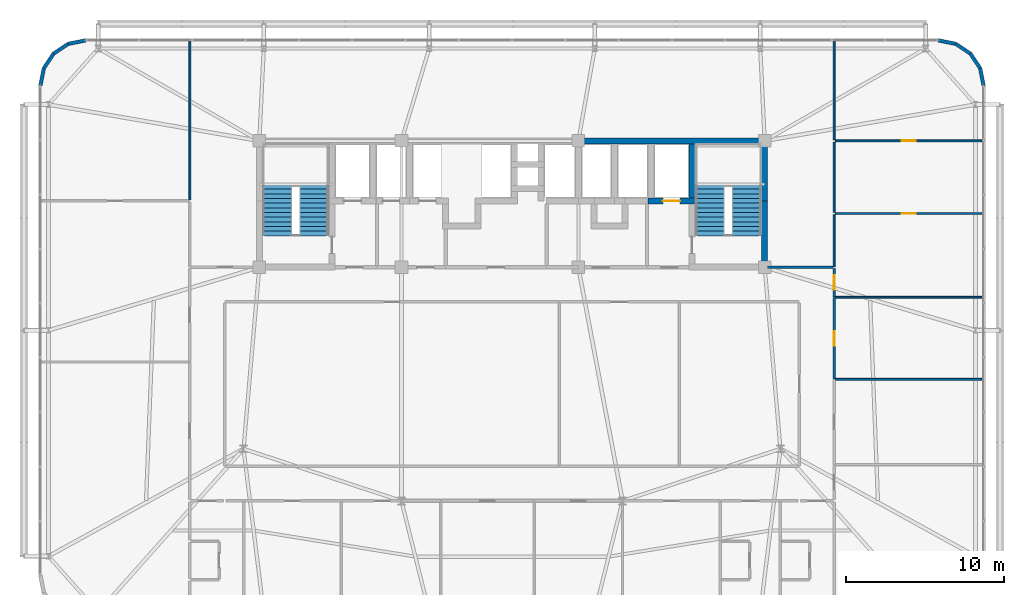
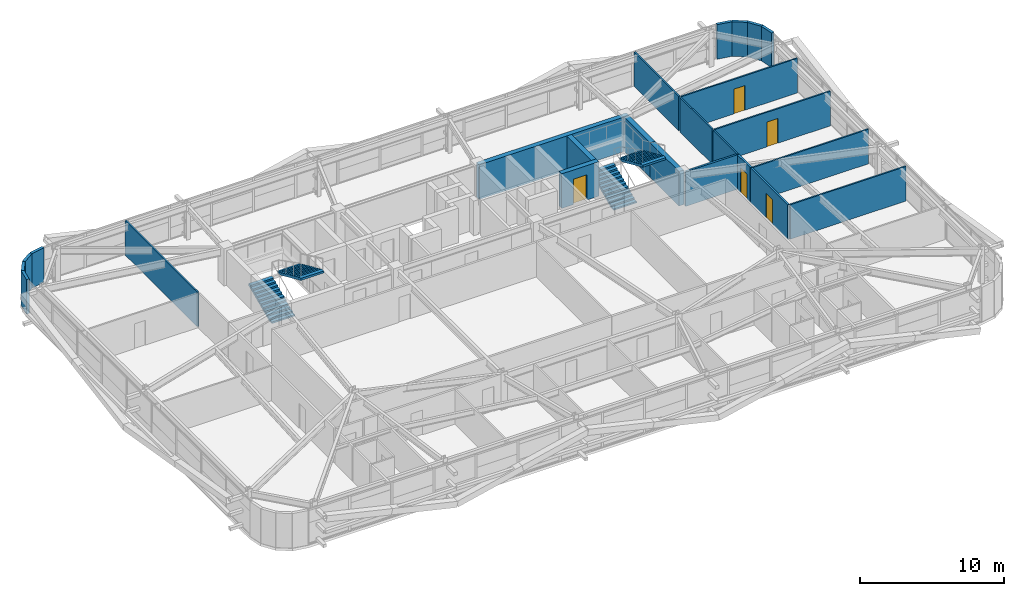
# One storey, part 55 of 58: 24 walls, 5 doors, 4 stair flights, 5 openings, 2 elements without a shape of their own.
"""IFC4 building model written with IfcOpenShell, lengths in metres."""

from ifc_helpers import new_model, si_unit, direction, frame, frame_2d, origin, place, context, subcontext, project, spatial, polyline, rectangle, outline, extrude, source, transform, mapped, material, layer, layer_set, type_object, element, fill, aggregate, save


model = new_model("IFC4")

# Units and contexts
model_context = context("Model", 3, precision=1e-05, world=origin(), true_north=direction((0.0, 1.0)))
body_context = subcontext(model_context, "Body", "Model", "MODEL_VIEW")
ifc_project = project(units=[si_unit("LENGTHUNIT", "METRE"), si_unit("AREAUNIT", "SQUARE_METRE"), si_unit("VOLUMEUNIT", "CUBIC_METRE"), si_unit("PLANEANGLEUNIT", "RADIAN"), si_unit("MASSUNIT", "GRAM", prefix="KILO")], contexts=[model_context])

# Site, building, storey
site_placement = place(None, origin())
site = spatial("IfcSite", under=ifc_project, at=site_placement, CompositionType="ELEMENT")
building_placement = place(site_placement, origin())
building = spatial("IfcBuilding", under=site, at=building_placement, Name="Taldren Reach Tower", CompositionType="ELEMENT")
storey_placement = place(building_placement, frame((0.0, 0.0, 51.449951171875)))
storey = spatial("IfcBuildingStorey", under=building, at=storey_placement, Name="L15", CompositionType="ELEMENT", Elevation=51.449951171875)

# Walls
ifc_material_1 = material(Name="Pale Champagne Anodised Aluminium Cladding", Category="aluminium")
ifc_layer_1 = layer(ifc_material_1, 0.04, Name="Pale Champagne Anodised Aluminium Cladding", Category="aluminium")
ifc_material_2 = material(Name="Mineral Wool Acoustic Insulation", Category="insulation")
ifc_layer_2 = layer(ifc_material_2, 0.06, Name="Mineral Wool Acoustic Insulation", Category="insulation")
ifc_material_3 = material(Name="Steel Gr 350 (C350L0)", Category="steel")
ifc_layer_3 = layer(ifc_material_3, 0.12, Name="Steel Gr 350 (C350L0)", Category="steel")
ifc_layer_set_1 = layer_set([ifc_layer_1, ifc_layer_2, ifc_layer_3], Name="Pale Champagne Aluminium Cladding and Steel Gr 350 Stud Framing")
wall_type_1 = type_object("IfcWallType", Name="EW-CRN-220", PredefinedType="SOLIDWALL", material=ifc_layer_set_1)
shared_shape_1 = source(origin(), body_context, "Body", "SweptSolid", [
    extrude(rectangle(XDim=1.115966796875, YDim=0.219970703125, at=frame_2d((0.55810546875, 0.0))), origin(), (0.0, 0.0, 1.0), 2.929931640625),
])
for number, where, z_axis, x_axis, name in (
    (1, (64.860107421875, 35.5, 0.0), (0.0, 0.0, 1.0), (-0.195148375659, 0.98077373103, 0.0), "Rounded-corner pale-metal facade wall L15-NE1"),
    (2, (64.642333984375, 36.594482421875, 0.0), (0.0, 0.0, 1.0), (-0.555709556774, 0.83137650226, 0.0), "Rounded-corner pale-metal facade wall L15-NE2"),
    (3, (64.022216796875, 37.522216796875, 0.0), (0.0, 0.0, 1.0), (-0.83137650226, 0.555709556774, 0.0), "Rounded-corner pale-metal facade wall L15-NE3"),
    (4, (63.094482421875, 38.142333984375, 0.0), (0.0, 0.0, 1.0), (-0.98077373103, 0.195148375659, 0.0), "Rounded-corner pale-metal facade wall L15-NE4"),
    (5, (8.0, 38.360107421875, 0.0), (0.0, 0.0, 1.0), (-0.98077373103, -0.195148375659, 0.0), "Rounded-corner pale-metal facade wall L15-NW1"),
    (6, (6.905517578125, 38.142333984375, 0.0), (0.0, 0.0, 1.0), (-0.83137650226, -0.555709556774, 0.0), "Rounded-corner pale-metal facade wall L15-NW2"),
    (7, (5.977783203125, 37.522216796875, 0.0), (0.0, 0.0, 1.0), (-0.555709556774, -0.83137650226, 0.0), "Rounded-corner pale-metal facade wall L15-NW3"),
    (8, (5.357666015625, 36.594482421875, 0.0), (0.0, 0.0, 1.0), (-0.195148375659, -0.98077373103, 0.0), "Rounded-corner pale-metal facade wall L15-NW4"),
):
    element("IfcWall", number, at=place(storey_placement, frame(where, z_axis=z_axis, x_axis=x_axis)), inside=storey, type_object=wall_type_1, Name=name, PredefinedType="SOLIDWALL", context=body_context, shape_type="MappedRepresentation", body=[
        mapped(shared_shape_1, transform((0.0, 0.0, 0.0), scale=1.0)),
    ])
ifc_material_4 = material(Name="Concrete S80 (80 MPa)", Category="concrete")
ifc_layer_4 = layer(ifc_material_4, 0.3798828125)
ifc_layer_set_2 = layer_set([ifc_layer_4], Name="Concrete S80 (80 MPa)")
wall_type_2 = type_object("IfcWallType", Name="IW-CORE-380", PredefinedType="SHEAR", material=ifc_layer_set_2)
shared_shape_2 = source(origin(), body_context, "Body", "SweptSolid", [
    extrude(rectangle(XDim=11.989990234375, YDim=0.3798828125, at=frame_2d((5.9951171875, 0.0))), origin(), (0.0, 0.0, 1.0), 2.929931640625),
])
wall_1_placement = place(storey_placement, frame((39.199951171875, 32.0, 0.0), z_axis=(0.0, 0.0, 1.0), x_axis=(1.0, 0.0, 0.0)))
element("IfcWall", 9, at=wall_1_placement, inside=storey, type_object=wall_type_2, Name="Rear Core Shear Wall W-CORE-L15-NORTH3", PredefinedType="SHEAR", context=body_context, shape_type="MappedRepresentation", body=[
    mapped(shared_shape_2, transform((0.0, 0.0, 0.0), scale=1.0)),
])
shared_shape_3 = source(origin(), body_context, "Body", "SweptSolid", [
    extrude(rectangle(XDim=4.010009765625, YDim=0.3798828125, at=frame_2d((2.0048828125, 0.0))), origin(), (0.0, 0.0, 1.0), 2.929931640625),
])
wall_2_placement = place(storey_placement, frame((51.0, 24.18994140625, 0.0), z_axis=(0.0, 0.0, 1.0), x_axis=(0.0, 1.0, 0.0)))
element("IfcWall", 10, at=wall_2_placement, inside=storey, type_object=wall_type_2, Name="Rear Core Shear Wall W-CORE-L15-EAST1", PredefinedType="SHEAR", context=body_context, shape_type="MappedRepresentation", body=[
    mapped(shared_shape_3, transform((0.0, 0.0, 0.0), scale=1.0)),
])
shared_shape_4 = source(origin(), body_context, "Body", "SweptSolid", [
    extrude(rectangle(XDim=3.610107421875, YDim=0.3798828125, at=frame_2d((1.80517578125, 0.0))), origin(), (0.0, 0.0, 1.0), 2.929931640625),
])
wall_3_placement = place(storey_placement, frame((51.0, 28.199951171875, 0.0), z_axis=(0.0, 0.0, 1.0), x_axis=(0.0, 1.0, 0.0)))
element("IfcWall", 11, at=wall_3_placement, inside=storey, type_object=wall_type_2, Name="Rear Core Shear Wall W-CORE-L15-EAST2", PredefinedType="SHEAR", context=body_context, shape_type="MappedRepresentation", body=[
    mapped(shared_shape_4, transform((0.0, 0.0, 0.0), scale=1.0)),
])
shared_shape_5 = source(origin(), body_context, "Body", "SweptSolid", [
    extrude(rectangle(XDim=3.420166015625, YDim=0.3798828125, at=frame_2d((1.7099609375, 0.0))), origin(), (0.0, 0.0, 1.0), 2.929931640625),
])
wall_4_placement = place(storey_placement, frame((46.39990234375, 31.81005859375, 0.0), z_axis=(0.0, 0.0, 1.0), x_axis=(0.0, -1.0, 0.0)))
element("IfcWall", 12, at=wall_4_placement, inside=storey, type_object=wall_type_2, Name="Rear Core Shear Wall W-INT-L15-008", PredefinedType="SHEAR", context=body_context, shape_type="MappedRepresentation", body=[
    mapped(shared_shape_5, transform((0.0, 0.0, 0.0), scale=1.0)),
])

# Wall, opening, door
shared_shape_6 = source(origin(), body_context, "Body", "SweptSolid", [
    extrude(rectangle(XDim=2.97998046875, YDim=0.3798828125, at=frame_2d((1.489990234375, 0.0))), origin(), (0.0, 0.0, 1.0), 2.929931640625),
])
wall_5_placement = place(storey_placement, frame((43.610107421875, 28.199951171875, 0.0), z_axis=(0.0, 0.0, 1.0), x_axis=(1.0, 0.0, 0.0)))
wall_5 = element("IfcWall", 13, at=wall_5_placement, inside=storey, type_object=wall_type_2, Name="Rear Core Shear Wall W-INT-L15-011", PredefinedType="SHEAR", context=body_context, shape_type="MappedRepresentation", body=[
    mapped(shared_shape_6, transform((0.0, 0.0, 0.0), scale=1.0)),
])
shared_shape_7 = source(origin(), body_context, "Body", "SweptSolid", [
    extrude(rectangle(XDim=1.10009765625, YDim=2.14990234375, at=frame_2d((0.550048828125, 1.074951171875))), frame((0.0, 0.199951171875, 0.0), z_axis=(0.0, -1.0, 0.0), x_axis=(1.0, 0.0, 0.0)), (0.0, 0.0, 1.0), 0.39990234375),
])
opening_1_placement = place(wall_5_placement, frame((0.93994140625, 0.0, 0.0)))
opening_1 = element("IfcOpeningElement", 14, at=opening_1_placement, cuts=wall_5, Name="Opening LD-FL2", PredefinedType="OPENING", context=body_context, shape_type="MappedRepresentation", body=[
    mapped(shared_shape_7, transform((0.0, 0.0, 0.0), scale=1.0)),
])
ifc_material_5 = material(Name="Stainless Steel Gr 316 Emergency Lift Landing Door", Category="steel")
door_type_1 = type_object("IfcDoorType", Name="LD-EMG-110", OperationType="SLIDING_TO_LEFT", PredefinedType="DOOR", material=ifc_material_5)
shared_shape_8 = source(origin(), body_context, "Body", "SweptSolid", [
    extrude(rectangle(XDim=1.10009765625, YDim=2.14990234375, at=frame_2d((0.550048828125, 1.074951171875))), frame((0.0, 0.02490234375, 0.0), z_axis=(0.0, -1.0, 0.0), x_axis=(1.0, 0.0, 0.0)), (0.0, 0.0, 1.0), 0.050048828125),
])
door_1_placement = place(opening_1_placement, origin())
door_1 = element("IfcDoor", 15, at=door_1_placement, inside=storey, type_object=door_type_1, Name="Lift Landing Door LD-FL2-L15", OperationType="SLIDING_TO_LEFT", OverallHeight=2.14990234375, OverallWidth=1.10009765625, PredefinedType="DOOR", context=body_context, shape_type="MappedRepresentation", body=[
    mapped(shared_shape_8, transform((0.0, 0.0, 0.0), scale=1.0)),
])
fill(opening_1, door_1)

# Wall
ifc_material_6 = material(Name="Fire-Rated Acoustic Plasterboard Stud Wall", Category="gypsum")
ifc_layer_5 = layer(ifc_material_6, 0.159912109375)
ifc_layer_set_3 = layer_set([ifc_layer_5], Name="Fire-Rated Acoustic Plasterboard Stud Wall")
wall_type_3 = type_object("IfcWallType", Name="IW-FIRE-160", PredefinedType="PARTITIONING", material=ifc_layer_set_3)
shared_shape_9 = source(origin(), body_context, "Body", "SweptSolid", [
    extrude(rectangle(XDim=4.130126953125, YDim=0.159912109375, at=frame_2d((2.06494140625, 0.0))), origin(), (0.0, 0.0, 1.0), 2.929931640625),
])
wall_6_placement = place(storey_placement, frame((51.18994140625, 24.0, 0.0), z_axis=(0.0, 0.0, 1.0), x_axis=(1.0, 0.0, 0.0)))
element("IfcWall", 16, at=wall_6_placement, inside=storey, type_object=wall_type_3, Name="Interior Partition Wall W-INT-L15-059", PredefinedType="PARTITIONING", context=body_context, shape_type="MappedRepresentation", body=[
    mapped(shared_shape_9, transform((0.0, 0.0, 0.0), scale=1.0)),
])

# Wall, opening, door
shared_shape_10 = source(origin(), body_context, "Body", "SweptSolid", [
    extrude(rectangle(XDim=5.15966796875, YDim=0.159912109375, at=frame_2d((2.579833984375, 0.0))), origin(), (0.0, 0.0, 1.0), 2.929931640625),
])
wall_7_placement = place(storey_placement, frame((55.39990234375, 22.079833984375, 0.0), z_axis=(0.0, 0.0, 1.0), x_axis=(0.0, -1.0, 0.0)))
wall_7 = element("IfcWall", 17, at=wall_7_placement, inside=storey, type_object=wall_type_3, Name="Interior Partition Wall W-INT-L15-056", PredefinedType="PARTITIONING", context=body_context, shape_type="MappedRepresentation", body=[
    mapped(shared_shape_10, transform((0.0, 0.0, 0.0), scale=1.0)),
])
shared_shape_11 = source(origin(), body_context, "Body", "SweptSolid", [
    extrude(rectangle(XDim=0.919921875, YDim=2.10009765625, at=frame_2d((0.4599609375, 1.050048828125))), frame((0.0, 0.08984375, 0.0), z_axis=(0.0, -1.0, 0.0), x_axis=(1.0, 0.0, 0.0)), (0.0, 0.0, 1.0), 0.179931640625),
])
opening_2_placement = place(wall_7_placement, frame((2.119873046875, 0.0, 0.0)))
opening_2 = element("IfcOpeningElement", 18, at=opening_2_placement, cuts=wall_7, Name="Opening DI-092", PredefinedType="OPENING", context=body_context, shape_type="MappedRepresentation", body=[
    mapped(shared_shape_11, transform((0.0, 0.0, 0.0), scale=1.0)),
])
ifc_material_7 = material(Name="Solid-Core Timber Suite Door", Category="wood")
door_type_2 = type_object("IfcDoorType", Name="ID-INT-092", OperationType="NOTDEFINED", PredefinedType="DOOR", material=ifc_material_7)
shared_shape_12 = source(origin(), body_context, "Body", "SweptSolid", [
    extrude(rectangle(XDim=0.919921875, YDim=2.10009765625, at=frame_2d((0.4599609375, 1.050048828125))), frame((0.0, 0.02490234375, 0.0), z_axis=(0.0, -1.0, 0.0), x_axis=(1.0, 0.0, 0.0)), (0.0, 0.0, 1.0), 0.050048828125),
])
door_2_placement = place(opening_2_placement, origin())
door_2 = element("IfcDoor", 19, at=door_2_placement, inside=storey, type_object=door_type_2, Name="Interior Door DR-L15-017", OperationType="SINGLE_SWING_RIGHT", OverallHeight=2.10009765625, OverallWidth=0.919921875, PredefinedType="DOOR", context=body_context, shape_type="MappedRepresentation", body=[
    mapped(shared_shape_12, transform((0.0, 0.0, 0.0), scale=1.0)),
])
fill(opening_2, door_2)

# Walls
ifc_material_8 = material(Name="Insulated Residential Stud Partition", Category="gypsum")
ifc_layer_6 = layer(ifc_material_8, 0.1201171875)
ifc_layer_set_4 = layer_set([ifc_layer_6], Name="Insulated Residential Stud Partition")
wall_type_4 = type_object("IfcWallType", Name="IW-PART-120", PredefinedType="PARTITIONING", material=ifc_layer_set_4)
shared_shape_13 = source(origin(), body_context, "Body", "SweptSolid", [
    extrude(rectangle(XDim=9.2900390625, YDim=0.1201171875, at=frame_2d((4.64501953125, 0.0))), origin(), (0.0, 0.0, 1.0), 2.929931640625),
])
for number, where, z_axis, x_axis, name in (
    (20, (55.47998046875, 16.89990234375, 0.0), (0.0, 0.0, 1.0), (1.0, 0.0, 0.0), "Interior Partition Wall W-INT-L15-102"),
    (21, (55.47998046875, 22.10009765625, 0.0), (0.0, 0.0, 1.0), (1.0, 0.0, 0.0), "Interior Partition Wall W-INT-L15-103"),
):
    element("IfcWall", number, at=place(storey_placement, frame(where, z_axis=z_axis, x_axis=x_axis)), inside=storey, type_object=wall_type_4, Name=name, PredefinedType="PARTITIONING", context=body_context, shape_type="MappedRepresentation", body=[
        mapped(shared_shape_13, transform((0.0, 0.0, 0.0), scale=1.0)),
    ])

# Wall, opening, door
wall_8_placement = place(storey_placement, frame((55.47998046875, 27.39990234375, 0.0), z_axis=(0.0, 0.0, 1.0), x_axis=(1.0, 0.0, 0.0)))
wall_8 = element("IfcWall", 22, at=wall_8_placement, inside=storey, type_object=wall_type_4, Name="Interior Partition Wall W-INT-L15-104", PredefinedType="PARTITIONING", context=body_context, shape_type="MappedRepresentation", body=[
    mapped(shared_shape_13, transform((0.0, 0.0, 0.0), scale=1.0)),
])
shared_shape_14 = source(origin(), body_context, "Body", "SweptSolid", [
    extrude(rectangle(XDim=0.860107421875, YDim=2.10009765625, at=frame_2d((0.43017578125, 1.050048828125))), frame((0.0, 0.070068359375, 0.0), z_axis=(0.0, -1.0, 0.0), x_axis=(1.0, 0.0, 0.0)), (0.0, 0.0, 1.0), 0.14013671875),
])
opening_3_placement = place(wall_8_placement, frame((4.215087890625, 0.0, 0.0)))
opening_3 = element("IfcOpeningElement", 23, at=opening_3_placement, cuts=wall_8, Name="Opening DI-086", PredefinedType="OPENING", context=body_context, shape_type="MappedRepresentation", body=[
    mapped(shared_shape_14, transform((0.0, 0.0, 0.0), scale=1.0)),
])
ifc_material_9 = material(Name="Timber Bathroom Door", Category="wood")
door_type_3 = type_object("IfcDoorType", Name="ID-INT-086", OperationType="NOTDEFINED", PredefinedType="DOOR", material=ifc_material_9)
shared_shape_15 = source(origin(), body_context, "Body", "SweptSolid", [
    extrude(rectangle(XDim=0.860107421875, YDim=2.10009765625, at=frame_2d((0.43017578125, 1.050048828125))), frame((0.0, 0.02490234375, 0.0), z_axis=(0.0, -1.0, 0.0), x_axis=(1.0, 0.0, 0.0)), (0.0, 0.0, 1.0), 0.050048828125),
])
door_3_placement = place(opening_3_placement, origin())
door_3 = element("IfcDoor", 24, at=door_3_placement, inside=storey, type_object=door_type_3, Name="Interior Door DR-L15-030", OperationType="SINGLE_SWING_LEFT", OverallHeight=2.10009765625, OverallWidth=0.860107421875, PredefinedType="DOOR", context=body_context, shape_type="MappedRepresentation", body=[
    mapped(shared_shape_15, transform((0.0, 0.0, 0.0), scale=1.0)),
])
fill(opening_3, door_3)

wall_9_placement = place(storey_placement, frame((55.47998046875, 32.0, 0.0), z_axis=(0.0, 0.0, 1.0), x_axis=(1.0, 0.0, 0.0)))
wall_9 = element("IfcWall", 25, at=wall_9_placement, inside=storey, type_object=wall_type_4, Name="Interior Partition Wall W-INT-L15-106", PredefinedType="PARTITIONING", context=body_context, shape_type="MappedRepresentation", body=[
    mapped(shared_shape_13, transform((0.0, 0.0, 0.0), scale=1.0)),
])
opening_4_placement = place(wall_9_placement, frame((4.215087890625, 0.0, 0.0)))
opening_4 = element("IfcOpeningElement", 26, at=opening_4_placement, cuts=wall_9, Name="Opening DI-086", PredefinedType="OPENING", context=body_context, shape_type="MappedRepresentation", body=[
    mapped(shared_shape_14, transform((0.0, 0.0, 0.0), scale=1.0)),
])
door_4_placement = place(opening_4_placement, frame((0.860107421875, 0.0, 0.0), z_axis=(0.0, 0.0, 1.0), x_axis=(-1.0, 0.0, 0.0)))
door_4 = element("IfcDoor", 27, at=door_4_placement, inside=storey, type_object=door_type_3, Name="Interior Door DR-L15-031", OperationType="SINGLE_SWING_LEFT", OverallHeight=2.10009765625, OverallWidth=0.860107421875, PredefinedType="DOOR", context=body_context, shape_type="MappedRepresentation", body=[
    mapped(shared_shape_15, transform((0.0, 0.0, 0.0), scale=1.0)),
])
fill(opening_4, door_4)

# Wall
shared_shape_16 = source(origin(), body_context, "Body", "SweptSolid", [
    extrude(rectangle(XDim=4.43994140625, YDim=0.1201171875, at=frame_2d((2.219970703125, 0.0))), origin(), (0.0, 0.0, 1.0), 2.929931640625),
])
wall_10_placement = place(storey_placement, frame((55.39990234375, 27.47998046875, 0.0), z_axis=(0.0, 0.0, 1.0), x_axis=(0.0, 1.0, 0.0)))
element("IfcWall", 28, at=wall_10_placement, inside=storey, type_object=wall_type_4, Name="Interior Partition Wall W-INT-L15-107", PredefinedType="PARTITIONING", context=body_context, shape_type="MappedRepresentation", body=[
    mapped(shared_shape_16, transform((0.0, 0.0, 0.0), scale=1.0)),
])

# Wall, opening, door
shared_shape_17 = source(origin(), body_context, "Body", "SweptSolid", [
    extrude(rectangle(XDim=1.7998046875, YDim=0.159912109375, at=frame_2d((0.89990234375, 0.0))), origin(), (0.0, 0.0, 1.0), 2.929931640625),
])
wall_11_placement = place(storey_placement, frame((55.39990234375, 23.919921875, 0.0), z_axis=(0.0, 0.0, 1.0), x_axis=(0.0, -1.0, 0.0)))
wall_11 = element("IfcWall", 29, at=wall_11_placement, inside=storey, type_object=wall_type_3, Name="Interior Partition Wall W-INT-L15-057", PredefinedType="PARTITIONING", context=body_context, shape_type="MappedRepresentation", body=[
    mapped(shared_shape_17, transform((0.0, 0.0, 0.0), scale=1.0)),
])
opening_5_placement = place(wall_11_placement, frame((0.43994140625, 0.0, 0.0)))
opening_5 = element("IfcOpeningElement", 30, at=opening_5_placement, cuts=wall_11, Name="Opening DI-092", PredefinedType="OPENING", context=body_context, shape_type="MappedRepresentation", body=[
    mapped(shared_shape_11, transform((0.0, 0.0, 0.0), scale=1.0)),
])
door_5_placement = place(opening_5_placement, origin())
door_5 = element("IfcDoor", 31, at=door_5_placement, inside=storey, type_object=door_type_2, Name="Interior Door DR-L15-018", OperationType="SINGLE_SWING_LEFT", OverallHeight=2.10009765625, OverallWidth=0.919921875, PredefinedType="DOOR", context=body_context, shape_type="MappedRepresentation", body=[
    mapped(shared_shape_12, transform((0.0, 0.0, 0.0), scale=1.0)),
])
fill(opening_5, door_5)

# Walls
shared_shape_18 = source(origin(), body_context, "Body", "SweptSolid", [
    extrude(rectangle(XDim=9.989990234375, YDim=0.1201171875, at=frame_2d((4.9951171875, 0.0))), origin(), (0.0, 0.0, 1.0), 2.929931640625),
])
wall_12_placement = place(storey_placement, frame((14.60009765625, 38.27001953125, 0.0), z_axis=(0.0, 0.0, 1.0), x_axis=(0.0, -1.0, 0.0)))
element("IfcWall", 32, at=wall_12_placement, inside=storey, type_object=wall_type_4, Name="Interior Partition Wall W-INT-L15-100", PredefinedType="PARTITIONING", context=body_context, shape_type="MappedRepresentation", body=[
    mapped(shared_shape_18, transform((0.0, 0.0, 0.0), scale=1.0)),
])
shared_shape_19 = source(origin(), body_context, "Body", "SweptSolid", [
    extrude(rectangle(XDim=3.2998046875, YDim=0.1201171875, at=frame_2d((1.64990234375, 0.0))), origin(), (0.0, 0.0, 1.0), 2.929931640625),
])
wall_13_placement = place(storey_placement, frame((55.39990234375, 24.020263671875, 0.0), z_axis=(0.0, 0.0, 1.0), x_axis=(0.0, 1.0, 0.0)))
element("IfcWall", 33, at=wall_13_placement, inside=storey, type_object=wall_type_4, Name="Interior Partition Wall W-INT-L15-105", PredefinedType="PARTITIONING", context=body_context, shape_type="MappedRepresentation", body=[
    mapped(shared_shape_19, transform((0.0, 0.0, 0.0), scale=1.0)),
])
shared_shape_20 = source(origin(), body_context, "Body", "SweptSolid", [
    extrude(rectangle(XDim=6.18994140625, YDim=0.1201171875, at=frame_2d((3.094970703125, 0.0))), origin(), (0.0, 0.0, 1.0), 2.929931640625),
])
wall_14_placement = place(storey_placement, frame((55.39990234375, 32.080078125, 0.0), z_axis=(0.0, 0.0, 1.0), x_axis=(0.0, 1.0, 0.0)))
element("IfcWall", 34, at=wall_14_placement, inside=storey, type_object=wall_type_4, Name="Interior Partition Wall W-INT-L15-108", PredefinedType="PARTITIONING", context=body_context, shape_type="MappedRepresentation", body=[
    mapped(shared_shape_20, transform((0.0, 0.0, 0.0), scale=1.0)),
])

# Stair, stair flights
ifc_material_10 = material(Name="Concrete S50 (50 MPa)", Category="concrete")
stair_type = type_object("IfcStairType", Name="ST-HT-315", PredefinedType="HALF_TURN_STAIR", material=ifc_material_10)
stair_1_placement = place(storey_placement, origin())
stair_1 = element("IfcStair", 35, at=stair_1_placement, inside=storey, type_object=stair_type, Name="Fire-isolated exit stair ST1 L15", PredefinedType="HALF_TURN_STAIR")
stair_flight_type = type_object("IfcStairFlightType", Name="SF-STR-315", PredefinedType="STRAIGHT", material=ifc_material_10)
stair_flight_1_placement = place(storey_placement, frame((20.139892578125, 25.989990234375, 0.0), z_axis=(0.0, 0.0, 1.0), x_axis=(0.0, 1.0, 0.0)))
stair_flight_1 = element("IfcStairFlight", 36, at=stair_flight_1_placement, type_object=stair_flight_type, Name="ST1 flight 1", NumberOfRisers=12, NumberOfTreads=11, PredefinedType="STRAIGHT", RiserHeight=0.13125, TreadLength=0.295, context=body_context, shape_type="SweptSolid", body=[
    extrude(outline(polyline([(0.0, 0.0), (0.0, 0.13134765625), (0.294921875, 0.13134765625), (0.294921875, 0.262451171875), (0.590087890625, 0.262451171875), (0.590087890625, 0.393798828125), (0.885009765625, 0.393798828125), (0.885009765625, 0.52490234375), (1.179931640625, 0.52490234375), (1.179931640625, 0.65625), (1.47509765625, 0.65625), (1.47509765625, 0.78759765625), (1.77001953125, 0.78759765625), (1.77001953125, 0.918701171875), (2.06494140625, 0.918701171875), (2.06494140625, 1.050048828125), (2.360107421875, 1.050048828125), (2.360107421875, 1.18115234375), (2.655029296875, 1.18115234375), (2.655029296875, 1.3125), (2.949951171875, 1.3125), (2.949951171875, 1.44384765625), (3.2451171875, 1.44384765625), (3.2451171875, 1.574951171875), (3.2451171875, 1.268798828125), (0.393310546875, 0.0), (0.0, 0.0)])), frame((0.0, 0.919921875, 0.0), z_axis=(0.0, -1.0, 0.0), x_axis=(1.0, 0.0, 0.0)), (0.0, 0.0, 1.0), 1.840087890625),
])
stair_flight_2_placement = place(storey_placement, frame((22.4599609375, 29.235107421875, 1.574951171875), z_axis=(0.0, 0.0, 1.0), x_axis=(0.0, -1.0, 0.0)))
stair_flight_2 = element("IfcStairFlight", 37, at=stair_flight_2_placement, type_object=stair_flight_type, Name="ST1 flight 2", NumberOfRisers=12, NumberOfTreads=11, PredefinedType="STRAIGHT", RiserHeight=0.13125, TreadLength=0.295, context=body_context, shape_type="SweptSolid", body=[
    extrude(outline(polyline([(0.0, 0.0), (0.0, 0.13134765625), (0.294921875, 0.13134765625), (0.294921875, 0.262451171875), (0.590087890625, 0.262451171875), (0.590087890625, 0.393798828125), (0.885009765625, 0.393798828125), (0.885009765625, 0.52490234375), (1.179931640625, 0.52490234375), (1.179931640625, 0.65625), (1.47509765625, 0.65625), (1.47509765625, 0.78759765625), (1.77001953125, 0.78759765625), (1.77001953125, 0.918701171875), (2.06494140625, 0.918701171875), (2.06494140625, 1.050048828125), (2.360107421875, 1.050048828125), (2.360107421875, 1.18115234375), (2.655029296875, 1.18115234375), (2.655029296875, 1.3125), (2.949951171875, 1.3125), (2.949951171875, 1.44384765625), (3.2451171875, 1.44384765625), (3.2451171875, 1.574951171875), (3.2451171875, 1.268798828125), (0.393310546875, 0.0), (0.0, 0.0)])), frame((0.0, 0.919921875, 0.0), z_axis=(0.0, -1.0, 0.0), x_axis=(1.0, 0.0, 0.0)), (0.0, 0.0, 1.0), 1.840087890625),
])
aggregate(stair_1, [stair_flight_1, stair_flight_2])

stair_2_placement = place(storey_placement, origin())
stair_2 = element("IfcStair", 38, at=stair_2_placement, inside=storey, type_object=stair_type, Name="Fire-isolated exit stair ST2 L15", PredefinedType="HALF_TURN_STAIR")
stair_flight_3_placement = place(storey_placement, frame((47.5400390625, 25.989990234375, 0.0), z_axis=(0.0, 0.0, 1.0), x_axis=(0.0, 1.0, 0.0)))
stair_flight_3 = element("IfcStairFlight", 39, at=stair_flight_3_placement, type_object=stair_flight_type, Name="ST2 flight 1", NumberOfRisers=12, NumberOfTreads=11, PredefinedType="STRAIGHT", RiserHeight=0.13125, TreadLength=0.295, context=body_context, shape_type="SweptSolid", body=[
    extrude(outline(polyline([(0.0, 0.0), (0.0, 0.13134765625), (0.294921875, 0.13134765625), (0.294921875, 0.262451171875), (0.590087890625, 0.262451171875), (0.590087890625, 0.393798828125), (0.885009765625, 0.393798828125), (0.885009765625, 0.52490234375), (1.179931640625, 0.52490234375), (1.179931640625, 0.65625), (1.47509765625, 0.65625), (1.47509765625, 0.78759765625), (1.77001953125, 0.78759765625), (1.77001953125, 0.918701171875), (2.06494140625, 0.918701171875), (2.06494140625, 1.050048828125), (2.360107421875, 1.050048828125), (2.360107421875, 1.18115234375), (2.655029296875, 1.18115234375), (2.655029296875, 1.3125), (2.949951171875, 1.3125), (2.949951171875, 1.44384765625), (3.2451171875, 1.44384765625), (3.2451171875, 1.574951171875), (3.2451171875, 1.268798828125), (0.393310546875, 0.0), (0.0, 0.0)])), frame((0.0, 0.919921875, 0.0), z_axis=(0.0, -1.0, 0.0), x_axis=(1.0, 0.0, 0.0)), (0.0, 0.0, 1.0), 1.840087890625),
])
stair_flight_4_placement = place(storey_placement, frame((49.860107421875, 29.235107421875, 1.574951171875), z_axis=(0.0, 0.0, 1.0), x_axis=(0.0, -1.0, 0.0)))
stair_flight_4 = element("IfcStairFlight", 40, at=stair_flight_4_placement, type_object=stair_flight_type, Name="ST2 flight 2", NumberOfRisers=12, NumberOfTreads=11, PredefinedType="STRAIGHT", RiserHeight=0.13125, TreadLength=0.295, context=body_context, shape_type="SweptSolid", body=[
    extrude(outline(polyline([(0.0, 0.0), (0.0, 0.13134765625), (0.294921875, 0.13134765625), (0.294921875, 0.262451171875), (0.590087890625, 0.262451171875), (0.590087890625, 0.393798828125), (0.885009765625, 0.393798828125), (0.885009765625, 0.52490234375), (1.179931640625, 0.52490234375), (1.179931640625, 0.65625), (1.47509765625, 0.65625), (1.47509765625, 0.78759765625), (1.77001953125, 0.78759765625), (1.77001953125, 0.918701171875), (2.06494140625, 0.918701171875), (2.06494140625, 1.050048828125), (2.360107421875, 1.050048828125), (2.360107421875, 1.18115234375), (2.655029296875, 1.18115234375), (2.655029296875, 1.3125), (2.949951171875, 1.3125), (2.949951171875, 1.44384765625), (3.2451171875, 1.44384765625), (3.2451171875, 1.574951171875), (3.2451171875, 1.268798828125), (0.393310546875, 0.0), (0.0, 0.0)])), frame((0.0, 0.919921875, 0.0), z_axis=(0.0, -1.0, 0.0), x_axis=(1.0, 0.0, 0.0)), (0.0, 0.0, 1.0), 1.840087890625),
])
aggregate(stair_2, [stair_flight_3, stair_flight_4])

save(model, "model.ifc")
